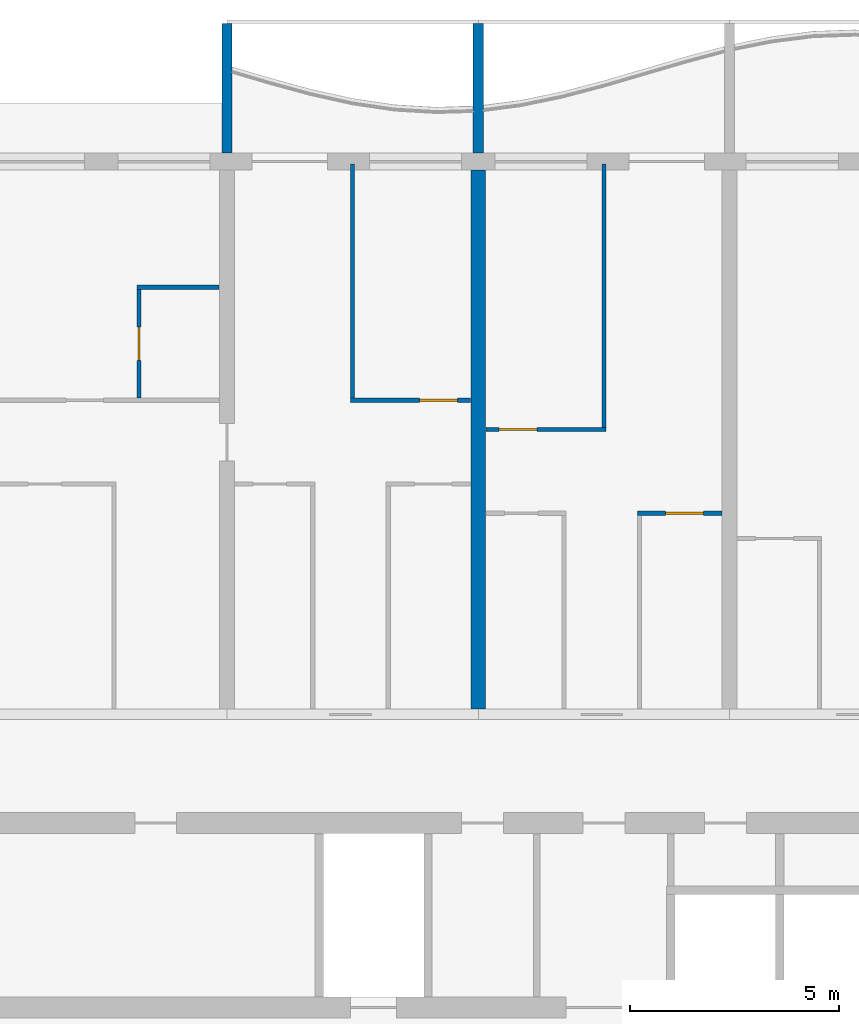
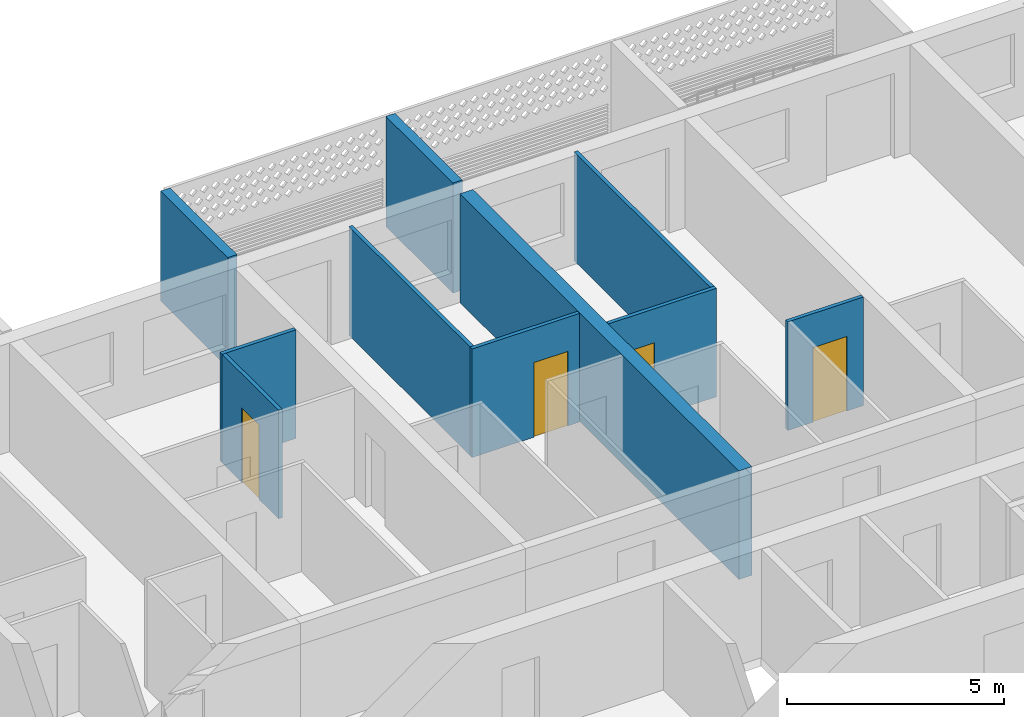
# One storey, part 12 of 28: 10 walls, 4 doors, 4 openings.
"""IFC4 building model written with IfcOpenShell, lengths in metres."""

from ifc_helpers import new_model, si_unit, direction, frame, frame_2d, origin, place, context, subcontext, project, spatial, polyline, rectangle, outline, extrude, source, transform, mapped, material, layer, layer_set, type_object, element, fill, save


model = new_model("IFC4")

# Units and contexts
model_context = context("Model", 3, precision=1e-05, world=origin(), true_north=direction((0.0, 1.0)))
body_context = subcontext(model_context, "Body", "Model", "MODEL_VIEW")
ifc_project = project(units=[si_unit("LENGTHUNIT", "METRE"), si_unit("AREAUNIT", "SQUARE_METRE"), si_unit("VOLUMEUNIT", "CUBIC_METRE"), si_unit("PLANEANGLEUNIT", "RADIAN"), si_unit("MASSUNIT", "GRAM", prefix="KILO")], contexts=[model_context])

# Site, building, storey
site_placement = place(None, origin())
site = spatial("IfcSite", under=ifc_project, at=site_placement, CompositionType="ELEMENT")
building_placement = place(site_placement, origin())
building = spatial("IfcBuilding", under=site, at=building_placement, Name="Poui Terraces", CompositionType="ELEMENT")
storey_placement = place(building_placement, frame((0.0, 0.0, 72.89990234375)))
storey = spatial("IfcBuildingStorey", under=building, at=storey_placement, Name="L19", CompositionType="ELEMENT", Elevation=72.89990234375)

# Wall
ifc_material_1 = material(Name="Concrete 65 MPa", Category="concrete")
ifc_layer_1 = layer(ifc_material_1, 0.35009765625)
ifc_layer_set_1 = layer_set([ifc_layer_1], Name="Concrete 65 MPa")
wall_type_1 = type_object("IfcWallType", Name="CROSS WALL 350 65MPa", PredefinedType="SHEAR", material=ifc_layer_set_1)
wall_1_placement = place(storey_placement, frame((48.0, 30.52490234375, 0.0), z_axis=(0.0, 0.0, 1.0), x_axis=(0.0, 1.0, 0.0)))
element("IfcWall", 1, at=wall_1_placement, inside=storey, type_object=wall_type_1, Name="CROSS WALL LINE 9 NORTH", PredefinedType="SHEAR", context=body_context, shape_type="SweptSolid", body=[
    extrude(rectangle(XDim=12.875, YDim=0.35009765625, at=frame_2d((6.4375, 0.0))), origin(), (0.0, 0.0, 1.0), 3.06005859375),
])

# Wall, opening, door
ifc_material_2 = material(Name="Plasterboard partition")
ifc_layer_2 = layer(ifc_material_2, 0.10009765625)
ifc_layer_set_2 = layer_set([ifc_layer_2], Name="Plasterboard partition")
wall_type_2 = type_object("IfcWallType", Name="FLAT PARTITION 100", PredefinedType="PARTITIONING", material=ifc_layer_set_2)
wall_2_placement = place(storey_placement, frame((51.800048828125, 35.199951171875, 0.0), z_axis=(0.0, 0.0, 1.0), x_axis=(1.0, 0.0, 0.0)))
wall_2 = element("IfcWall", 2, at=wall_2_placement, inside=storey, type_object=wall_type_2, Name="FLAT PARTITION 100", PredefinedType="PARTITIONING", context=body_context, shape_type="SweptSolid", body=[
    extrude(rectangle(XDim=2.014892578125, YDim=0.10009765625, at=frame_2d((1.00732421875, 0.0))), origin(), (0.0, 0.0, 1.0), 3.06005859375),
])
opening_1_placement = place(wall_2_placement, frame((0.675048828125, 0.0, 0.0)))
opening_1 = element("IfcOpeningElement", 3, at=opening_1_placement, cuts=wall_2, Name="Opening D90", PredefinedType="OPENING", context=body_context, shape_type="SweptSolid", body=[
    extrude(rectangle(XDim=0.89990234375, YDim=2.10009765625, at=frame_2d((0.449951171875, 1.050048828125))), frame((0.0, 0.06005859375, 0.0), z_axis=(0.0, -1.0, 0.0), x_axis=(1.0, 0.0, 0.0)), (0.0, 0.0, 1.0), 0.1201171875),
])
ifc_material_3 = material(Name="Solid core timber door", Category="wood")
door_type_1 = type_object("IfcDoorType", Name="INTERNAL DOOR 900 X 2100", OperationType="NOTDEFINED", PredefinedType="DOOR", material=ifc_material_3)
door_1_placement = place(opening_1_placement, frame((0.89990234375, 0.0, 0.0), z_axis=(0.0, 0.0, 1.0), x_axis=(-1.0, 0.0, 0.0)))
door_1 = element("IfcDoor", 4, at=door_1_placement, inside=storey, type_object=door_type_1, Name="INTERNAL DOOR 060", OperationType="SINGLE_SWING_LEFT", OverallHeight=2.10009765625, OverallWidth=0.89990234375, PredefinedType="DOOR", context=body_context, shape_type="SweptSolid", body=[
    extrude(rectangle(XDim=0.89990234375, YDim=2.10009765625, at=frame_2d((0.449951171875, 1.050048828125))), frame((0.0, 0.02490234375, 0.0), z_axis=(0.0, -1.0, 0.0), x_axis=(1.0, 0.0, 0.0)), (0.0, 0.0, 1.0), 0.050048828125),
])
fill(opening_1, door_1)

wall_3_placement = place(storey_placement, frame((48.18505859375, 37.199951171875, 0.0), z_axis=(0.0, 0.0, 1.0), x_axis=(1.0, 0.0, 0.0)))
wall_3 = element("IfcWall", 5, at=wall_3_placement, inside=storey, type_object=wall_type_2, Name="FLAT PARTITION 100", PredefinedType="PARTITIONING", context=body_context, shape_type="SweptSolid", body=[
    extrude(rectangle(XDim=2.864990234375, YDim=0.10009765625, at=frame_2d((1.4326171875, 0.0))), origin(), (0.0, 0.0, 1.0), 3.06005859375),
])
opening_2_placement = place(wall_3_placement, frame((0.31494140625, 0.0, 0.0)))
opening_2 = element("IfcOpeningElement", 6, at=opening_2_placement, cuts=wall_3, Name="Opening D90", PredefinedType="OPENING", context=body_context, shape_type="SweptSolid", body=[
    extrude(rectangle(XDim=0.89990234375, YDim=2.10009765625, at=frame_2d((0.449951171875, 1.050048828125))), frame((0.0, 0.06005859375, 0.0), z_axis=(0.0, -1.0, 0.0), x_axis=(1.0, 0.0, 0.0)), (0.0, 0.0, 1.0), 0.1201171875),
])
door_2_placement = place(opening_2_placement, frame((0.89990234375, 0.0, 0.0), z_axis=(0.0, 0.0, 1.0), x_axis=(-1.0, 0.0, 0.0)))
door_2 = element("IfcDoor", 7, at=door_2_placement, inside=storey, type_object=door_type_1, Name="INTERNAL DOOR 057", OperationType="SINGLE_SWING_LEFT", OverallHeight=2.10009765625, OverallWidth=0.89990234375, PredefinedType="DOOR", context=body_context, shape_type="SweptSolid", body=[
    extrude(rectangle(XDim=0.89990234375, YDim=2.10009765625, at=frame_2d((0.449951171875, 1.050048828125))), frame((0.0, 0.02490234375, 0.0), z_axis=(0.0, -1.0, 0.0), x_axis=(1.0, 0.0, 0.0)), (0.0, 0.0, 1.0), 0.050048828125),
])
fill(opening_2, door_2)

wall_4_placement = place(storey_placement, frame((44.949951171875, 37.89990234375, 0.0), z_axis=(0.0, 0.0, 1.0), x_axis=(1.0, 0.0, 0.0)))
wall_4 = element("IfcWall", 8, at=wall_4_placement, inside=storey, type_object=wall_type_2, Name="FLAT PARTITION 100", PredefinedType="PARTITIONING", context=body_context, shape_type="SweptSolid", body=[
    extrude(rectangle(XDim=2.864990234375, YDim=0.10009765625, at=frame_2d((1.4326171875, 0.0))), origin(), (0.0, 0.0, 1.0), 3.06005859375),
])
opening_3_placement = place(wall_4_placement, frame((1.64990234375, 0.0, 0.0)))
opening_3 = element("IfcOpeningElement", 9, at=opening_3_placement, cuts=wall_4, Name="Opening D90", PredefinedType="OPENING", context=body_context, shape_type="SweptSolid", body=[
    extrude(rectangle(XDim=0.89990234375, YDim=2.10009765625, at=frame_2d((0.449951171875, 1.050048828125))), frame((0.0, 0.06005859375, 0.0), z_axis=(0.0, -1.0, 0.0), x_axis=(1.0, 0.0, 0.0)), (0.0, 0.0, 1.0), 0.1201171875),
])
door_3_placement = place(opening_3_placement, origin())
door_3 = element("IfcDoor", 10, at=door_3_placement, inside=storey, type_object=door_type_1, Name="INTERNAL DOOR 055", OperationType="SINGLE_SWING_RIGHT", OverallHeight=2.10009765625, OverallWidth=0.89990234375, PredefinedType="DOOR", context=body_context, shape_type="SweptSolid", body=[
    extrude(rectangle(XDim=0.89990234375, YDim=2.10009765625, at=frame_2d((0.449951171875, 1.050048828125))), frame((0.0, 0.02490234375, 0.0), z_axis=(0.0, -1.0, 0.0), x_axis=(1.0, 0.0, 0.0)), (0.0, 0.0, 1.0), 0.050048828125),
])
fill(opening_3, door_3)

# Wall
wall_5_placement = place(storey_placement, frame((39.85009765625, 40.60009765625, 0.0), z_axis=(0.0, 0.0, 1.0), x_axis=(1.0, 0.0, 0.0)))
element("IfcWall", 11, at=wall_5_placement, inside=storey, type_object=wall_type_2, Name="FLAT PARTITION 100", PredefinedType="PARTITIONING", context=body_context, shape_type="SweptSolid", body=[
    extrude(rectangle(XDim=1.96484375, YDim=0.10009765625, at=frame_2d((0.982421875, 0.0))), origin(), (0.0, 0.0, 1.0), 3.06005859375),
])

# Wall, opening, door
wall_6_placement = place(storey_placement, frame((39.89990234375, 37.949951171875, 0.0), z_axis=(0.0, 0.0, 1.0), x_axis=(0.0, 1.0, 0.0)))
wall_6 = element("IfcWall", 12, at=wall_6_placement, inside=storey, type_object=wall_type_2, Name="FLAT PARTITION 100", PredefinedType="PARTITIONING", context=body_context, shape_type="SweptSolid", body=[
    extrude(rectangle(XDim=2.60009765625, YDim=0.10009765625, at=frame_2d((1.300048828125, 0.0))), origin(), (0.0, 0.0, 1.0), 3.06005859375),
])
opening_4_placement = place(wall_6_placement, frame((0.89990234375, 0.0, 0.0)))
opening_4 = element("IfcOpeningElement", 13, at=opening_4_placement, cuts=wall_6, Name="Opening D80", PredefinedType="OPENING", context=body_context, shape_type="SweptSolid", body=[
    extrude(rectangle(XDim=0.800048828125, YDim=2.10009765625, at=frame_2d((0.39990234375, 1.050048828125))), frame((0.0, 0.06005859375, 0.0), z_axis=(0.0, -1.0, 0.0), x_axis=(1.0, 0.0, 0.0)), (0.0, 0.0, 1.0), 0.1201171875),
])
door_type_2 = type_object("IfcDoorType", Name="BATHROOM, LAUNDRY AND STORE DOOR 800 X 2100", OperationType="NOTDEFINED", PredefinedType="DOOR", material=ifc_material_3)
door_4_placement = place(opening_4_placement, frame((0.800048828125, 0.0, 0.0), z_axis=(0.0, 0.0, 1.0), x_axis=(-1.0, 0.0, 0.0)))
door_4 = element("IfcDoor", 14, at=door_4_placement, inside=storey, type_object=door_type_2, Name="BATHROOM, LAUNDRY AND STORE DOOR 056", OperationType="SINGLE_SWING_LEFT", OverallHeight=2.10009765625, OverallWidth=0.800048828125, PredefinedType="DOOR", context=body_context, shape_type="SweptSolid", body=[
    extrude(rectangle(XDim=0.800048828125, YDim=2.10009765625, at=frame_2d((0.39990234375, 1.050048828125))), frame((0.0, 0.02490234375, 0.0), z_axis=(0.0, -1.0, 0.0), x_axis=(1.0, 0.0, 0.0)), (0.0, 0.0, 1.0), 0.050048828125),
])
fill(opening_4, door_4)

# Walls
wall_7_placement = place(storey_placement, frame((45.0, 37.949951171875, 0.0), z_axis=(0.0, 0.0, 1.0), x_axis=(0.0, 1.0, 0.0)))
element("IfcWall", 15, at=wall_7_placement, inside=storey, type_object=wall_type_2, Name="FLAT PARTITION 100", PredefinedType="PARTITIONING", context=body_context, shape_type="SweptSolid", body=[
    extrude(rectangle(XDim=5.590087890625, YDim=0.10009765625, at=frame_2d((2.794921875, 0.0))), origin(), (0.0, 0.0, 1.0), 3.06005859375),
])
wall_8_placement = place(storey_placement, frame((51.0, 37.25, 0.0), z_axis=(0.0, 0.0, 1.0), x_axis=(0.0, 1.0, 0.0)))
element("IfcWall", 16, at=wall_8_placement, inside=storey, type_object=wall_type_2, Name="FLAT PARTITION 100", PredefinedType="PARTITIONING", context=body_context, shape_type="SweptSolid", body=[
    extrude(rectangle(XDim=6.2900390625, YDim=0.10009765625, at=frame_2d((3.14501953125, 0.0))), origin(), (0.0, 0.0, 1.0), 3.06005859375),
])
ifc_material_4 = material(Name="Precast concrete 40 MPa", Category="concrete")
ifc_layer_3 = layer(ifc_material_4, 0.25)
ifc_layer_set_3 = layer_set([ifc_layer_3], Name="Precast concrete 40 MPa")
wall_type_3 = type_object("IfcWallType", Name="BALCONY FIN 250", PredefinedType="STANDARD", material=ifc_layer_set_3)
shared_shape = source(origin(), body_context, "Body", "SweptSolid", [
    extrude(outline(polyline([(0.0, 0.0), (0.25, 0.0), (0.25, 3.099853515625), (0.0, 3.099853515625), (0.0, 0.0)])), origin(), (0.0, 0.0, 1.0), 3.10009765625),
])
for number, where, name in (
    (17, (41.875, 43.800048828125, 0.0), "BALCONY FIN"),
    (18, (47.875, 43.800048828125, 0.0), "BALCONY FIN"),
):
    element("IfcWall", number, at=place(storey_placement, frame(where)), inside=storey, type_object=wall_type_3, Name=name, PredefinedType="STANDARD", context=body_context, shape_type="MappedRepresentation", body=[
        mapped(shared_shape, transform((0.0, 0.0, 0.0))),
    ])

save(model, "model.ifc")
